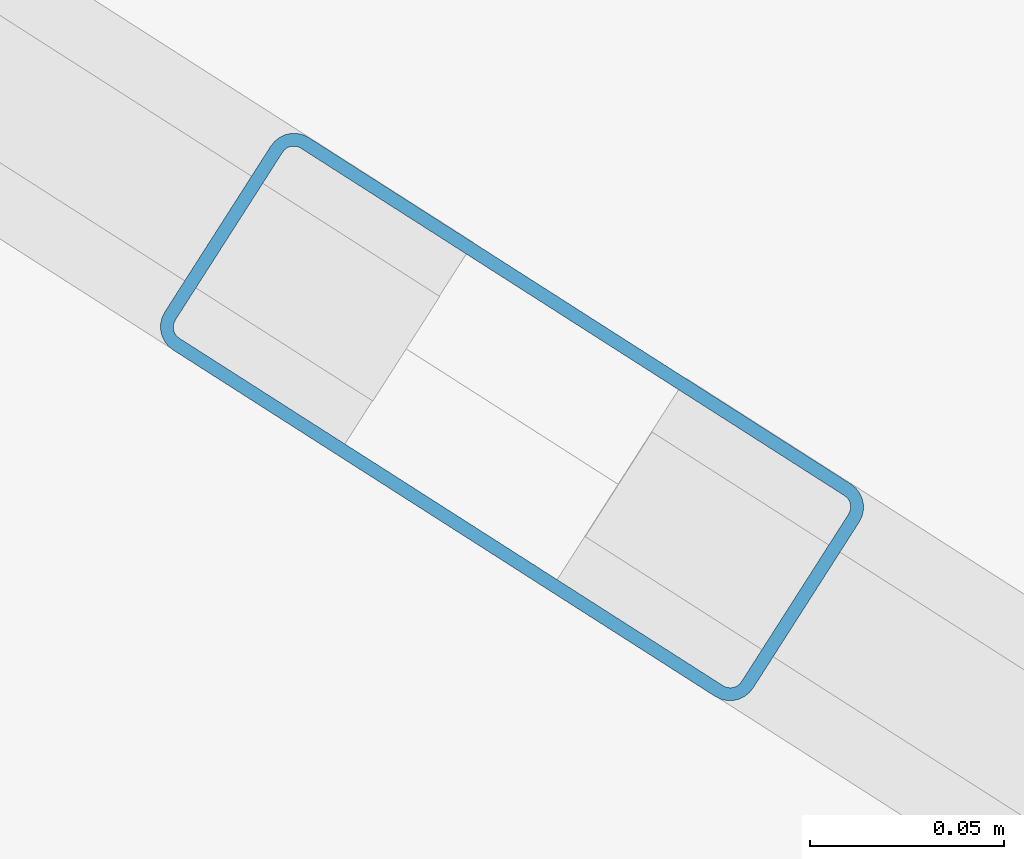
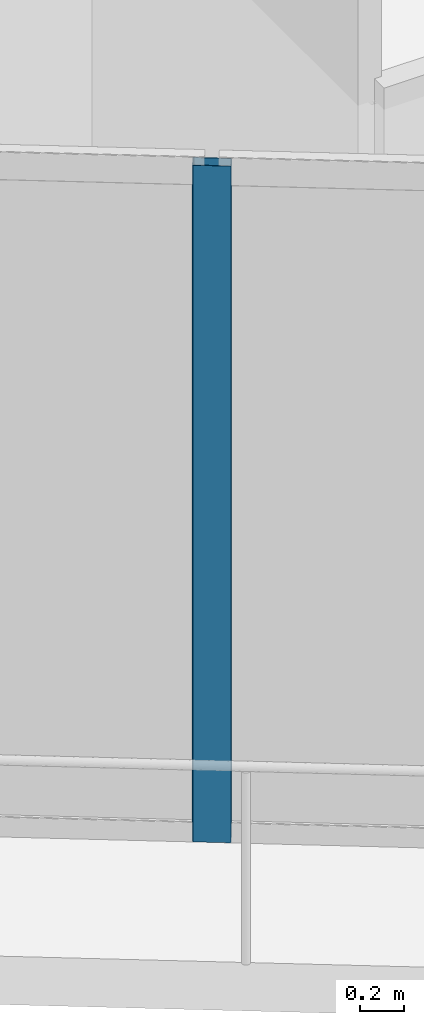
# One storey, part 2 of 33: 1 member, 1 element without a shape of its own.
"""IFC4 building model written with IfcOpenShell, lengths in metres."""

from ifc_helpers import new_model, si_unit, direction, frame, origin, origin_2d, place, context, subcontext, project, spatial, hollow_rectangle, extrude, material, layer, layer_set, material_profile, profile_set, type_object, element, aggregate, save


model = new_model("IFC4")

# Units and contexts
model_context = context("Model", 3, precision=1e-05, world=origin(), true_north=direction((0.0, 1.0)))
body_context = subcontext(model_context, "Body", "Model", "MODEL_VIEW")
ifc_project = project(units=[si_unit("LENGTHUNIT", "METRE"), si_unit("AREAUNIT", "SQUARE_METRE"), si_unit("VOLUMEUNIT", "CUBIC_METRE"), si_unit("PLANEANGLEUNIT", "RADIAN"), si_unit("MASSUNIT", "GRAM", prefix="KILO")], contexts=[model_context])

# Site, building, storey
site_placement = place(None, origin())
site = spatial("IfcSite", under=ifc_project, at=site_placement, CompositionType="ELEMENT")
building_placement = place(site_placement, origin())
building = spatial("IfcBuilding", under=site, at=building_placement, Name="Qorvath Tower", CompositionType="ELEMENT")
storey_placement = place(building_placement, frame((0.0, 0.0, 237.449951171875)))
storey = spatial("IfcBuildingStorey", under=building, at=storey_placement, Name="L55", CompositionType="ELEMENT", Elevation=237.449951171875)

# Curtain wall, member
ifc_material_1 = material(Name="Anodised aluminium and triple low-E glass", Category="aluminium")
ifc_layer = layer(ifc_material_1, 0.179931640625)
ifc_layer_set = layer_set([ifc_layer], Name="CW-SYS-3")
curtain_wall_type = type_object("IfcCurtainWallType", Name="CW-SYS-3", PredefinedType="NOTDEFINED", material=ifc_layer_set)
curtain_wall_placement = place(storey_placement, origin())
curtain_wall = element("IfcCurtainWall", 1, at=curtain_wall_placement, inside=storey, type_object=curtain_wall_type, Name="Curtain Wall CW-3 CW-T-L55-2.2", PredefinedType="NOTDEFINED")
ifc_material_2 = material(Name="Anodised aluminium 6063-T6", Category="aluminium")
ifc_material_profile = material_profile(ifc_material_2, hollow_rectangle(XDim=0.06494140625, YDim=0.179931640625, WallThickness=0.00341796875, InnerFilletRadius=0.00341796875, OuterFilletRadius=0.007080078125, at=origin_2d()), Name="CWM 180x65")
ifc_profile_set = profile_set([ifc_material_profile], Name="Anodised aluminium 6063-T6")
member_type = type_object("IfcMemberType", Name="CWM-180", PredefinedType="MULLION", material=ifc_profile_set)
member_placement = place(storey_placement, frame((-39.365234375, -12.099365234375, 0.0), z_axis=(0.0, 0.0, 1.0), x_axis=(0.53852851579, 0.842607285561, 0.0)))
member = element("IfcMember", 2, at=member_placement, type_object=member_type, Name="CW-3 mullion 3", PredefinedType="MULLION", context=body_context, shape_type="SweptSolid", body=[
    extrude(hollow_rectangle(XDim=0.06494140625, YDim=0.179931640625, WallThickness=0.00341796875, InnerFilletRadius=0.00341796875, OuterFilletRadius=0.007080078125, at=origin_2d()), origin(), (0.0, 0.0, 1.0), 3.780029296875),
])
aggregate(curtain_wall, [member])

save(model, "model.ifc")
